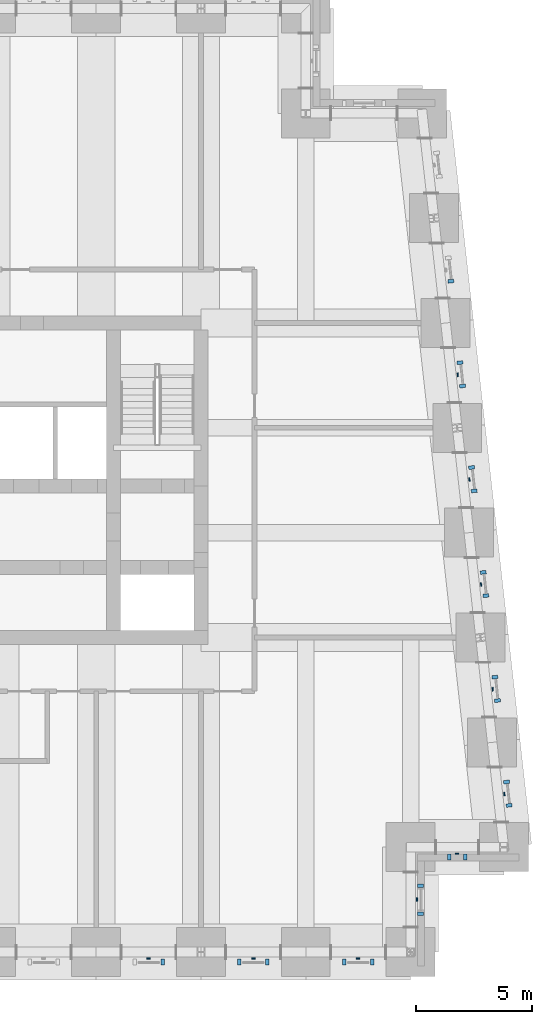
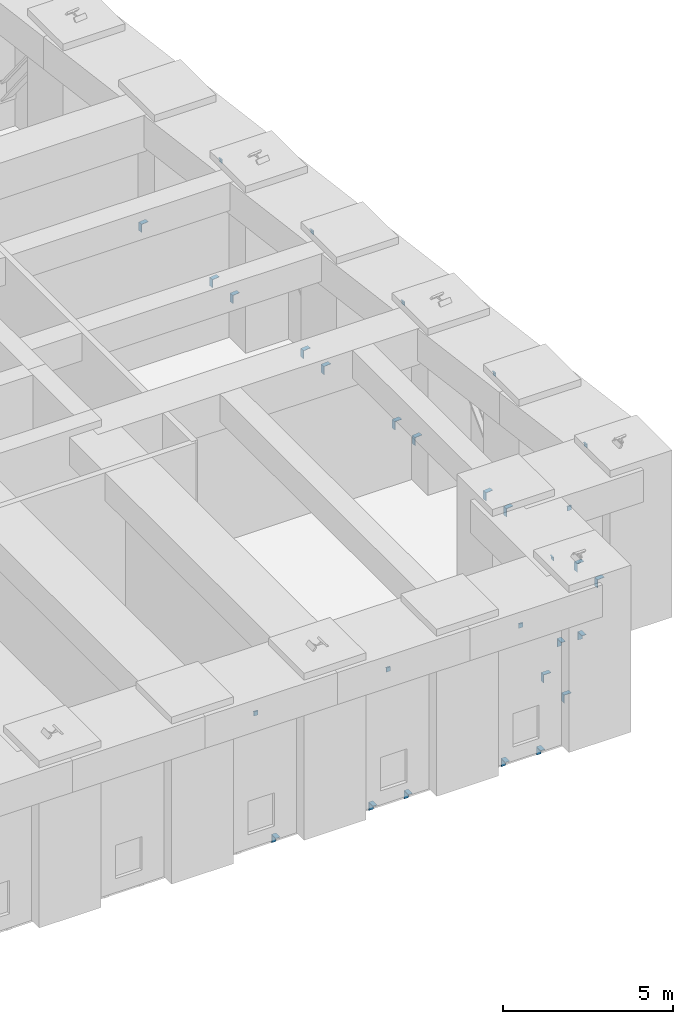
# One storey, part 12 of 17: 30 discrete accessories.
"""IFC4 building model written with IfcOpenShell, lengths in metres."""

from ifc_helpers import new_model, si_unit, direction, frame, origin, place, context, subcontext, project, spatial, polyline, outline, extrude, source, transform, mapped, material, layer, layer_set, type_object, element, save


model = new_model("IFC4")

# Units and contexts
model_context = context("Model", 3, precision=1e-05, world=origin(), true_north=direction((0.0, 1.0)))
body_context = subcontext(model_context, "Body", "Model", "MODEL_VIEW")
ifc_project = project(units=[si_unit("LENGTHUNIT", "METRE"), si_unit("AREAUNIT", "SQUARE_METRE"), si_unit("VOLUMEUNIT", "CUBIC_METRE"), si_unit("PLANEANGLEUNIT", "RADIAN"), si_unit("MASSUNIT", "GRAM", prefix="KILO")], contexts=[model_context])

# Site, building, storey
site_placement = place(None, origin())
site = spatial("IfcSite", under=ifc_project, at=site_placement, CompositionType="ELEMENT")
building_placement = place(site_placement, origin())
building = spatial("IfcBuilding", under=site, at=building_placement, Name="Kilele Tower Hotel", CompositionType="ELEMENT")
storey_placement = place(building_placement, frame((0.0, 0.0, 211.39990234375)))
storey = spatial("IfcBuildingStorey", under=building, at=storey_placement, Name="L55", CompositionType="ELEMENT", Elevation=211.39990234375)

# Discrete accessories
ifc_material_1 = material(Name="Hot-dip galvanized steel S355", Category="steel")
ifc_layer_1 = layer(ifc_material_1, 0.014892578125)
ifc_layer_set_1 = layer_set([ifc_layer_1], Name="Hot-dip galvanized steel S355")
discrete_accessory_type_1 = type_object("IfcDiscreteAccessoryType", Name="Facade panel bearing bracket 250x150x15", PredefinedType="BRACKET", material=ifc_layer_set_1)
shared_shape_1 = source(origin(), body_context, "Body", "SweptSolid", [
    extrude(outline(polyline([(0.0, 0.0), (0.25, 0.0), (0.25, -0.014892578125), (0.014892578125, -0.014892578125), (0.014892578125, -0.300048828125), (0.0, -0.300048828125), (0.0, 0.0)])), origin(), (0.0, 0.0, 1.0), 0.14990234375),
])
for number, where, z_axis, x_axis, name in (
    (1, (34.425048828125, -0.300048828125, 0.0), (-1.0, 0.0, 0.0), (0.0, -1.0, 0.0), "Facade panel bearing bracket L55"),
    (2, (37.72509765625, -0.300048828125, 0.0), (-1.0, 0.0, 0.0), (0.0, -1.0, 0.0), "Facade panel bearing bracket L55"),
    (3, (38.925048828125, -0.300048828125, 0.0), (-1.0, 0.0, 0.0), (0.0, -1.0, 0.0), "Facade panel bearing bracket L55"),
    (4, (42.22509765625, -0.300048828125, 0.0), (-1.0, 0.0, 0.0), (0.0, -1.0, 0.0), "Facade panel bearing bracket L55"),
    (5, (43.425048828125, -0.300048828125, 0.0), (-1.0, 0.0, 0.0), (0.0, -1.0, 0.0), "Facade panel bearing bracket L55"),
    (6, (45.300048828125, 1.72509765625, 0.0), (0.0, -1.0, 0.0), (1.0, 0.0, 0.0), "Facade panel bearing bracket L55"),
    (7, (45.300048828125, 2.925048828125, 0.0), (0.0, -1.0, 0.0), (1.0, 0.0, 0.0), "Facade panel bearing bracket L55"),
    (8, (46.72509765625, 4.199951171875, 0.0), (-1.0, 0.0, 0.0), (0.0, -1.0, 0.0), "Facade panel bearing bracket L55"),
    (9, (47.425048828125, 4.199951171875, 0.0), (-1.0, 0.0, 0.0), (0.0, -1.0, 0.0), "Facade panel bearing bracket L55"),
    (10, (49.095703125, 6.3564453125, 0.0), (0.110432, -0.993884, 0.0), (0.993884, 0.110432, 0.0), "Facade panel bearing bracket L55"),
    (11, (48.984130859375, 7.35888671875, 0.0), (0.110432, -0.993884, 0.0), (0.993884, 0.110432, 0.0), "Facade panel bearing bracket L55"),
    (12, (48.595703125, 10.8564453125, 0.0), (0.110432, -0.993884, 0.0), (0.993884, 0.110432, 0.0), "Facade panel bearing bracket L55"),
    (13, (48.484130859375, 11.85888671875, 0.0), (0.110432, -0.993884, 0.0), (0.993884, 0.110432, 0.0), "Facade panel bearing bracket L55"),
    (14, (48.095703125, 15.3564453125, 0.0), (0.110432, -0.993884, 0.0), (0.993884, 0.110432, 0.0), "Facade panel bearing bracket L55"),
    (15, (47.984130859375, 16.35888671875, 0.0), (0.110432, -0.993884, 0.0), (0.993884, 0.110432, 0.0), "Facade panel bearing bracket L55"),
    (16, (47.595703125, 19.8564453125, 0.0), (0.110432, -0.993884, 0.0), (0.993884, 0.110432, 0.0), "Facade panel bearing bracket L55"),
    (17, (47.484130859375, 20.85888671875, 0.0), (0.110432, -0.993884, 0.0), (0.993884, 0.110432, 0.0), "Facade panel bearing bracket L55"),
    (18, (47.095703125, 24.3564453125, 0.0), (0.110432, -0.993884, 0.0), (0.993884, 0.110432, 0.0), "Facade panel bearing bracket L55"),
    (19, (46.984130859375, 25.35888671875, 0.0), (0.110432, -0.993884, 0.0), (0.993884, 0.110432, 0.0), "Facade panel bearing bracket L55"),
    (20, (46.595703125, 28.8564453125, 0.0), (0.110432, -0.993884, 0.0), (0.993884, 0.110432, 0.0), "Facade panel bearing bracket L55"),
):
    element("IfcDiscreteAccessory", number, at=place(storey_placement, frame(where, z_axis=z_axis, x_axis=x_axis)), inside=storey, type_object=discrete_accessory_type_1, Name=name, PredefinedType="BRACKET", context=body_context, shape_type="MappedRepresentation", body=[
        mapped(shared_shape_1, transform((0.0, 0.0, 0.0))),
    ])
ifc_material_2 = material(Name="Hot-dip galvanized steel S355", Category="steel")
ifc_layer_2 = layer(ifc_material_2, 0.011962890625)
ifc_layer_set_2 = layer_set([ifc_layer_2], Name="Hot-dip galvanized steel S355")
discrete_accessory_type_2 = type_object("IfcDiscreteAccessoryType", Name="Facade panel restraint bracket 150x50x12", PredefinedType="BRACKET", material=ifc_layer_set_2)
shared_shape_2 = source(origin(), body_context, "Body", "SweptSolid", [
    extrude(outline(polyline([(0.0, 0.0), (0.0, -0.14990234375), (-0.011962890625, -0.14990234375), (-0.011962890625, -0.011962890625), (-0.050048828125, -0.011962890625), (-0.050048828125, 0.0), (0.0, 0.0)])), origin(), (0.0, 0.0, 1.0), 0.14990234375),
])
for number, where, z_axis, x_axis, name in (
    (21, (33.824951171875, -0.300048828125, 4.60009765625), (-1.0, 0.0, 0.0), (0.0, -1.0, 0.0), "Facade panel restraint bracket L55"),
    (22, (38.324951171875, -0.300048828125, 4.60009765625), (-1.0, 0.0, 0.0), (0.0, -1.0, 0.0), "Facade panel restraint bracket L55"),
    (23, (42.824951171875, -0.300048828125, 4.60009765625), (-1.0, 0.0, 0.0), (0.0, -1.0, 0.0), "Facade panel restraint bracket L55"),
    (24, (45.300048828125, 2.324951171875, 4.60009765625), (0.0, -1.0, 0.0), (1.0, 0.0, 0.0), "Facade panel restraint bracket L55"),
    (25, (47.074951171875, 4.199951171875, 4.60009765625), (-1.0, 0.0, 0.0), (0.0, -1.0, 0.0), "Facade panel restraint bracket L55"),
    (26, (49.039794921875, 6.857666015625, 4.60009765625), (0.110432, -0.993884, 0.0), (0.993884, 0.110432, 0.0), "Facade panel restraint bracket L55"),
    (27, (48.539794921875, 11.357666015625, 4.60009765625), (0.110432, -0.993884, 0.0), (0.993884, 0.110432, 0.0), "Facade panel restraint bracket L55"),
    (28, (48.039794921875, 15.857666015625, 4.60009765625), (0.110432, -0.993884, 0.0), (0.993884, 0.110432, 0.0), "Facade panel restraint bracket L55"),
    (29, (47.539794921875, 20.357666015625, 4.60009765625), (0.110432, -0.993884, 0.0), (0.993884, 0.110432, 0.0), "Facade panel restraint bracket L55"),
    (30, (47.039794921875, 24.857666015625, 4.60009765625), (0.110432, -0.993884, 0.0), (0.993884, 0.110432, 0.0), "Facade panel restraint bracket L55"),
):
    element("IfcDiscreteAccessory", number, at=place(storey_placement, frame(where, z_axis=z_axis, x_axis=x_axis)), inside=storey, type_object=discrete_accessory_type_2, Name=name, PredefinedType="BRACKET", context=body_context, shape_type="MappedRepresentation", body=[
        mapped(shared_shape_2, transform((0.0, 0.0, 0.0))),
    ])

save(model, "model.ifc")
